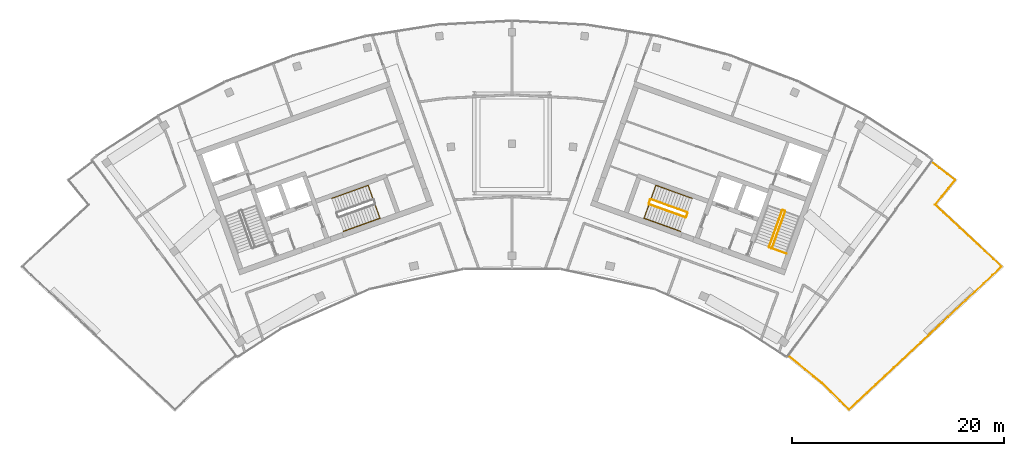
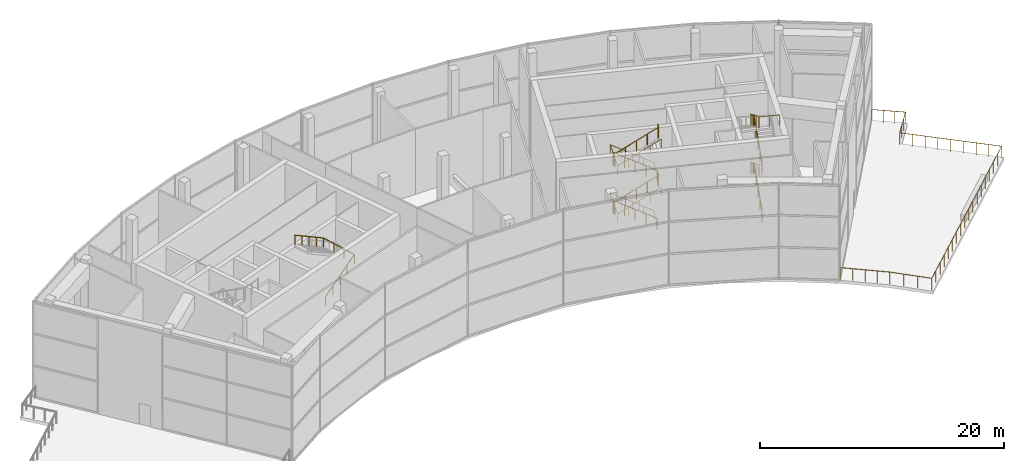
# One storey, part 19 of 20: 12 railings.
"""IFC4 building model written with IfcOpenShell, lengths in metres."""

from ifc_helpers import new_model, si_unit, direction, frame, origin, origin_2d, place, context, subcontext, project, spatial, circle, extrude, material, type_object, element, save


model = new_model("IFC4")

# Units and contexts
model_context = context("Model", 3, precision=1e-05, world=origin(), true_north=direction((0.0, 1.0)))
body_context = subcontext(model_context, "Body", "Model", "MODEL_VIEW")
ifc_project = project(units=[si_unit("LENGTHUNIT", "METRE"), si_unit("AREAUNIT", "SQUARE_METRE"), si_unit("VOLUMEUNIT", "CUBIC_METRE"), si_unit("PLANEANGLEUNIT", "RADIAN"), si_unit("MASSUNIT", "GRAM", prefix="KILO")], contexts=[model_context])

# Site, building, storey
site_placement = place(None, origin())
site = spatial("IfcSite", under=ifc_project, at=site_placement, CompositionType="ELEMENT")
building_placement = place(site_placement, origin())
building = spatial("IfcBuilding", under=site, at=building_placement, Name="Stone Belt Terrace Tower", CompositionType="ELEMENT")
storey_placement = place(building_placement, frame((0.0, 0.0, 323.0)))
storey = spatial("IfcBuildingStorey", under=building, at=storey_placement, Name="L78", CompositionType="ELEMENT", Elevation=323.0)

# Railings
ifc_material_1 = material(Name="Structural steel C345", Category="steel")
railing_type_1 = type_object("IfcRailingType", Name="Stair guard 1100", PredefinedType="GUARDRAIL", material=ifc_material_1)
railing_1_placement = place(storey_placement, frame((24.494140625, 45.174560546875, 0.17138671875)))
element("IfcRailing", 1, at=railing_1_placement, inside=storey, type_object=railing_type_1, Name="L78 ST1B stair guard 1", PredefinedType="GUARDRAIL", context=body_context, shape_type="SweptSolid", body=[
    extrude(circle(Radius=0.02392578125, at=origin_2d()), frame((0.0, 0.0, 1.076171875), z_axis=(0.288822101159, 0.802455225799, 0.522156494233), x_axis=(-0.940910495972, 0.338655338905, 0.0)), (0.0, 0.0, 1.0), 4.267822265625),
    extrude(circle(Radius=0.02392578125, at=origin_2d()), frame((1.232666015625, 3.4248046875, 3.3046875), z_axis=(-0.424964916, 0.905209821074, 0.0), x_axis=(-0.905209821074, -0.424964916, 0.0)), (0.0, 0.0, 1.0), 0.070556640625),
    extrude(circle(Radius=0.02392578125, at=origin_2d()), frame((1.20263671875, 3.48876953125, 3.3046875), z_axis=(-0.940716197853, 0.339194686126, 0.0), x_axis=(-0.339194686126, -0.940716197853, 0.0)), (0.0, 0.0, 1.0), 0.2001953125),
    extrude(circle(Radius=0.02099609375, at=origin_2d()), origin(), (0.0, 0.0, 1.0), 1.052001953125),
    extrude(circle(Radius=0.02099609375, at=origin_2d()), frame((0.30810546875, 0.856201171875, 0.55712890625)), (0.0, 0.0, 1.0), 1.052001953125),
    extrude(circle(Radius=0.02099609375, at=origin_2d()), frame((0.6162109375, 1.71240234375, 1.1142578125)), (0.0, 0.0, 1.0), 1.052001953125),
    extrude(circle(Radius=0.02099609375, at=origin_2d()), frame((0.924560546875, 2.568603515625, 1.67138671875)), (0.0, 0.0, 1.0), 1.052001953125),
    extrude(circle(Radius=0.02099609375, at=origin_2d()), frame((1.232666015625, 3.4248046875, 2.228515625)), (0.0, 0.0, 1.0), 1.052001953125),
    extrude(circle(Radius=0.02099609375, at=origin_2d()), frame((1.20263671875, 3.48876953125, 2.228515625)), (0.0, 0.0, 1.0), 1.052001953125),
    extrude(circle(Radius=0.02099609375, at=origin_2d()), frame((1.014404296875, 3.556640625, 2.228515625)), (0.0, 0.0, 1.0), 1.052001953125),
])
railing_2_placement = place(storey_placement, frame((25.444580078125, 48.700927734375, 2.571533203125)))
element("IfcRailing", 2, at=railing_2_placement, inside=storey, type_object=railing_type_1, Name="L78 ST1B stair guard 2", PredefinedType="GUARDRAIL", context=body_context, shape_type="SweptSolid", body=[
    extrude(circle(Radius=0.02392578125, at=origin_2d()), frame((0.0, 0.0, 1.076171875), z_axis=(-0.288822101159, -0.802455225799, 0.522156494233), x_axis=(0.940910495972, -0.338655338905, 0.0)), (0.0, 0.0, 1.0), 4.267822265625),
    extrude(circle(Radius=0.02392578125, at=origin_2d()), frame((-1.232666015625, -3.4248046875, 3.3046875), z_axis=(0.427789722475, -0.903878284585, 0.0), x_axis=(0.903878284585, 0.427789722475, 0.0)), (0.0, 0.0, 1.0), 0.07080078125),
    extrude(circle(Radius=0.02392578125, at=origin_2d()), frame((-1.202392578125, -3.48876953125, 3.3046875), z_axis=(0.940575576748, -0.339584429008, 0.0), x_axis=(0.339584429008, 0.940575576748, 0.0)), (0.0, 0.0, 1.0), 0.199951171875),
    extrude(circle(Radius=0.02099609375, at=origin_2d()), origin(), (0.0, 0.0, 1.0), 1.052001953125),
    extrude(circle(Radius=0.02099609375, at=origin_2d()), frame((-0.30810546875, -0.856201171875, 0.55712890625)), (0.0, 0.0, 1.0), 1.052001953125),
    extrude(circle(Radius=0.02099609375, at=origin_2d()), frame((-0.6162109375, -1.71240234375, 1.1142578125)), (0.0, 0.0, 1.0), 1.052001953125),
    extrude(circle(Radius=0.02099609375, at=origin_2d()), frame((-0.924560546875, -2.568603515625, 1.67138671875)), (0.0, 0.0, 1.0), 1.052001953125),
    extrude(circle(Radius=0.02099609375, at=origin_2d()), frame((-1.232666015625, -3.4248046875, 2.228515625)), (0.0, 0.0, 1.0), 1.052001953125),
    extrude(circle(Radius=0.02099609375, at=origin_2d()), frame((-1.202392578125, -3.48876953125, 2.228515625)), (0.0, 0.0, 1.0), 1.052001953125),
    extrude(circle(Radius=0.02099609375, at=origin_2d()), frame((-1.014404296875, -3.556640625, 2.228515625)), (0.0, 0.0, 1.0), 1.052001953125),
])
railing_3_placement = place(storey_placement, frame((24.494140625, 45.174560546875, 4.971435546875)))
element("IfcRailing", 3, at=railing_3_placement, inside=storey, type_object=railing_type_1, Name="L78 ST1B stair guard 3", PredefinedType="GUARDRAIL", context=body_context, shape_type="SweptSolid", body=[
    extrude(circle(Radius=0.02392578125, at=origin_2d()), frame((0.0, 0.0, 1.076171875), z_axis=(0.288822101159, 0.802455225799, 0.522156494233), x_axis=(-0.940910495972, 0.338655338905, 0.0)), (0.0, 0.0, 1.0), 4.267822265625),
    extrude(circle(Radius=0.02392578125, at=origin_2d()), frame((1.232666015625, 3.4248046875, 3.3046875), z_axis=(-0.424964916, 0.905209821074, 0.0), x_axis=(-0.905209821074, -0.424964916, 0.0)), (0.0, 0.0, 1.0), 0.070556640625),
    extrude(circle(Radius=0.02392578125, at=origin_2d()), frame((1.20263671875, 3.48876953125, 3.3046875), z_axis=(-0.940716197853, 0.339194686126, 0.0), x_axis=(-0.339194686126, -0.940716197853, 0.0)), (0.0, 0.0, 1.0), 0.2001953125),
    extrude(circle(Radius=0.02099609375, at=origin_2d()), origin(), (0.0, 0.0, 1.0), 1.052001953125),
    extrude(circle(Radius=0.02099609375, at=origin_2d()), frame((0.30810546875, 0.856201171875, 0.55712890625)), (0.0, 0.0, 1.0), 1.052001953125),
    extrude(circle(Radius=0.02099609375, at=origin_2d()), frame((0.6162109375, 1.71240234375, 1.1142578125)), (0.0, 0.0, 1.0), 1.052001953125),
    extrude(circle(Radius=0.02099609375, at=origin_2d()), frame((0.924560546875, 2.568603515625, 1.67138671875)), (0.0, 0.0, 1.0), 1.052001953125),
    extrude(circle(Radius=0.02099609375, at=origin_2d()), frame((1.232666015625, 3.4248046875, 2.228515625)), (0.0, 0.0, 1.0), 1.052001953125),
    extrude(circle(Radius=0.02099609375, at=origin_2d()), frame((1.20263671875, 3.48876953125, 2.228515625)), (0.0, 0.0, 1.0), 1.052001953125),
    extrude(circle(Radius=0.02099609375, at=origin_2d()), frame((1.014404296875, 3.556640625, 2.228515625)), (0.0, 0.0, 1.0), 1.052001953125),
])
railing_4_placement = place(storey_placement, frame((25.444580078125, 48.700927734375, 7.371337890625)))
element("IfcRailing", 4, at=railing_4_placement, inside=storey, type_object=railing_type_1, Name="L78 ST1B stair guard 4", PredefinedType="GUARDRAIL", context=body_context, shape_type="SweptSolid", body=[
    extrude(circle(Radius=0.02392578125, at=origin_2d()), frame((0.0, 0.0, 1.076171875), z_axis=(-0.288813474145, -0.802431256746, 0.522198099718), x_axis=(0.940910495972, -0.338655338905, 0.0)), (0.0, 0.0, 1.0), 4.26806640625),
    extrude(circle(Radius=0.02392578125, at=origin_2d()), frame((-1.232666015625, -3.4248046875, 3.3046875), z_axis=(0.427789722475, -0.903878284585, 0.0), x_axis=(0.903878284585, 0.427789722475, 0.0)), (0.0, 0.0, 1.0), 0.07080078125),
    extrude(circle(Radius=0.02392578125, at=origin_2d()), frame((-1.202392578125, -3.48876953125, 3.3046875), z_axis=(0.940903889267, -0.338673694229, 0.0), x_axis=(0.338673694229, 0.940903889267, 0.0)), (0.0, 0.0, 1.0), 1.69970703125),
    extrude(circle(Radius=0.02099609375, at=origin_2d()), origin(), (0.0, 0.0, 1.0), 1.052001953125),
    extrude(circle(Radius=0.02099609375, at=origin_2d()), frame((-0.30810546875, -0.856201171875, 0.55712890625)), (0.0, 0.0, 1.0), 1.052001953125),
    extrude(circle(Radius=0.02099609375, at=origin_2d()), frame((-0.6162109375, -1.71240234375, 1.1142578125)), (0.0, 0.0, 1.0), 1.052001953125),
    extrude(circle(Radius=0.02099609375, at=origin_2d()), frame((-0.924560546875, -2.568603515625, 1.671630859375)), (0.0, 0.0, 1.0), 1.052001953125),
    extrude(circle(Radius=0.02099609375, at=origin_2d()), frame((-1.232666015625, -3.4248046875, 2.228759765625)), (0.0, 0.0, 1.0), 1.052001953125),
    extrude(circle(Radius=0.02099609375, at=origin_2d()), frame((-1.202392578125, -3.48876953125, 2.228759765625)), (0.0, 0.0, 1.0), 1.052001953125),
    extrude(circle(Radius=0.02099609375, at=origin_2d()), frame((-0.40283203125, -3.776611328125, 2.228759765625)), (0.0, 0.0, 1.0), 1.052001953125),
    extrude(circle(Radius=0.02099609375, at=origin_2d()), frame((0.39697265625, -4.064453125, 2.228759765625)), (0.0, 0.0, 1.0), 1.052001953125),
])
railing_5_placement = place(storey_placement, frame((16.507568359375, 48.527099609375, 0.17138671875)))
element("IfcRailing", 5, at=railing_5_placement, inside=storey, type_object=railing_type_1, Name="L78 ST2B stair guard 1", PredefinedType="GUARDRAIL", context=body_context, shape_type="SweptSolid", body=[
    extrude(circle(Radius=0.02392578125, at=origin_2d()), frame((0.0, 0.0, 1.076171875), z_axis=(-0.802468482762, 0.288769667877, 0.52216512052), x_axis=(-0.338595955653, -0.940931867255, 0.0)), (0.0, 0.0, 1.0), 4.267822265625),
    extrude(circle(Radius=0.02392578125, at=origin_2d()), frame((-3.4248046875, 1.232421875, 3.3046875), z_axis=(-0.905209821074, -0.424964916, 0.0), x_axis=(0.424964916, -0.905209821074, 0.0)), (0.0, 0.0, 1.0), 0.070556640625),
    extrude(circle(Radius=0.02392578125, at=origin_2d()), frame((-3.48876953125, 1.202392578125, 3.3046875), z_axis=(-0.338654645739, -0.940910745459, 0.0), x_axis=(0.940910745459, -0.338654645739, 0.0)), (0.0, 0.0, 1.0), 0.400146484375),
    extrude(circle(Radius=0.02099609375, at=origin_2d()), origin(), (0.0, 0.0, 1.0), 1.052001953125),
    extrude(circle(Radius=0.02099609375, at=origin_2d()), frame((-0.856201171875, 0.30810546875, 0.55712890625)), (0.0, 0.0, 1.0), 1.052001953125),
    extrude(circle(Radius=0.02099609375, at=origin_2d()), frame((-1.71240234375, 0.6162109375, 1.1142578125)), (0.0, 0.0, 1.0), 1.052001953125),
    extrude(circle(Radius=0.02099609375, at=origin_2d()), frame((-2.568603515625, 0.92431640625, 1.67138671875)), (0.0, 0.0, 1.0), 1.052001953125),
    extrude(circle(Radius=0.02099609375, at=origin_2d()), frame((-3.4248046875, 1.232421875, 2.228515625)), (0.0, 0.0, 1.0), 1.052001953125),
    extrude(circle(Radius=0.02099609375, at=origin_2d()), frame((-3.48876953125, 1.202392578125, 2.228515625)), (0.0, 0.0, 1.0), 1.052001953125),
    extrude(circle(Radius=0.02099609375, at=origin_2d()), frame((-3.624267578125, 0.825927734375, 2.228515625)), (0.0, 0.0, 1.0), 1.052001953125),
])
railing_6_placement = place(storey_placement, frame((12.913330078125, 49.2890625, 2.571533203125)))
element("IfcRailing", 6, at=railing_6_placement, inside=storey, type_object=railing_type_1, Name="L78 ST2B stair guard 2", PredefinedType="GUARDRAIL", context=body_context, shape_type="SweptSolid", body=[
    extrude(circle(Radius=0.02392578125, at=origin_2d()), frame((0.0, 0.0, 1.076171875), z_axis=(0.802488848793, -0.288756412339, 0.522141151314), x_axis=(0.338574587021, 0.94093955652, 0.0)), (0.0, 0.0, 1.0), 4.26806640625),
    extrude(circle(Radius=0.02392578125, at=origin_2d()), frame((3.425048828125, -1.232421875, 3.3046875), z_axis=(0.905209821074, 0.424964916, 0.0), x_axis=(-0.424964916, 0.905209821074, 0.0)), (0.0, 0.0, 1.0), 0.070556640625),
    extrude(circle(Radius=0.02392578125, at=origin_2d()), frame((3.489013671875, -1.202392578125, 3.3046875), z_axis=(0.338654645739, 0.940910745459, 0.0), x_axis=(-0.940910745459, 0.338654645739, 0.0)), (0.0, 0.0, 1.0), 0.400146484375),
    extrude(circle(Radius=0.02099609375, at=origin_2d()), origin(), (0.0, 0.0, 1.0), 1.052001953125),
    extrude(circle(Radius=0.02099609375, at=origin_2d()), frame((0.856201171875, -0.30810546875, 0.55712890625)), (0.0, 0.0, 1.0), 1.052001953125),
    extrude(circle(Radius=0.02099609375, at=origin_2d()), frame((1.71240234375, -0.6162109375, 1.1142578125)), (0.0, 0.0, 1.0), 1.052001953125),
    extrude(circle(Radius=0.02099609375, at=origin_2d()), frame((2.56884765625, -0.92431640625, 1.67138671875)), (0.0, 0.0, 1.0), 1.052001953125),
    extrude(circle(Radius=0.02099609375, at=origin_2d()), frame((3.425048828125, -1.232421875, 2.228515625)), (0.0, 0.0, 1.0), 1.052001953125),
    extrude(circle(Radius=0.02099609375, at=origin_2d()), frame((3.489013671875, -1.202392578125, 2.228515625)), (0.0, 0.0, 1.0), 1.052001953125),
    extrude(circle(Radius=0.02099609375, at=origin_2d()), frame((3.62451171875, -0.825927734375, 2.228515625)), (0.0, 0.0, 1.0), 1.052001953125),
])
railing_7_placement = place(storey_placement, frame((16.507568359375, 48.527099609375, 4.971435546875)))
element("IfcRailing", 7, at=railing_7_placement, inside=storey, type_object=railing_type_1, Name="L78 ST2B stair guard 3", PredefinedType="GUARDRAIL", context=body_context, shape_type="SweptSolid", body=[
    extrude(circle(Radius=0.02392578125, at=origin_2d()), frame((0.0, 0.0, 1.076171875), z_axis=(-0.802468482762, 0.288769667877, 0.52216512052), x_axis=(-0.338595955653, -0.940931867255, 0.0)), (0.0, 0.0, 1.0), 4.267822265625),
    extrude(circle(Radius=0.02392578125, at=origin_2d()), frame((-3.4248046875, 1.232421875, 3.3046875), z_axis=(-0.905209821074, -0.424964916, 0.0), x_axis=(0.424964916, -0.905209821074, 0.0)), (0.0, 0.0, 1.0), 0.070556640625),
    extrude(circle(Radius=0.02392578125, at=origin_2d()), frame((-3.48876953125, 1.202392578125, 3.3046875), z_axis=(-0.338654645739, -0.940910745459, 0.0), x_axis=(0.940910745459, -0.338654645739, 0.0)), (0.0, 0.0, 1.0), 0.400146484375),
    extrude(circle(Radius=0.02099609375, at=origin_2d()), origin(), (0.0, 0.0, 1.0), 1.052001953125),
    extrude(circle(Radius=0.02099609375, at=origin_2d()), frame((-0.856201171875, 0.30810546875, 0.55712890625)), (0.0, 0.0, 1.0), 1.052001953125),
    extrude(circle(Radius=0.02099609375, at=origin_2d()), frame((-1.71240234375, 0.6162109375, 1.1142578125)), (0.0, 0.0, 1.0), 1.052001953125),
    extrude(circle(Radius=0.02099609375, at=origin_2d()), frame((-2.568603515625, 0.92431640625, 1.67138671875)), (0.0, 0.0, 1.0), 1.052001953125),
    extrude(circle(Radius=0.02099609375, at=origin_2d()), frame((-3.4248046875, 1.232421875, 2.228515625)), (0.0, 0.0, 1.0), 1.052001953125),
    extrude(circle(Radius=0.02099609375, at=origin_2d()), frame((-3.48876953125, 1.202392578125, 2.228515625)), (0.0, 0.0, 1.0), 1.052001953125),
    extrude(circle(Radius=0.02099609375, at=origin_2d()), frame((-3.624267578125, 0.825927734375, 2.228515625)), (0.0, 0.0, 1.0), 1.052001953125),
])
railing_8_placement = place(storey_placement, frame((12.913330078125, 49.2890625, 7.371337890625)))
element("IfcRailing", 8, at=railing_8_placement, inside=storey, type_object=railing_type_1, Name="L78 ST2B stair guard 4", PredefinedType="GUARDRAIL", context=body_context, shape_type="SweptSolid", body=[
    extrude(circle(Radius=0.02392578125, at=origin_2d()), frame((0.0, 0.0, 1.076171875), z_axis=(0.802464880144, -0.288747787795, 0.522182756493), x_axis=(0.338574587021, 0.94093955652, 0.0)), (0.0, 0.0, 1.0), 4.26806640625),
    extrude(circle(Radius=0.02392578125, at=origin_2d()), frame((3.425048828125, -1.232421875, 3.3046875), z_axis=(0.905209821074, 0.424964916, 0.0), x_axis=(-0.424964916, 0.905209821074, 0.0)), (0.0, 0.0, 1.0), 0.070556640625),
    extrude(circle(Radius=0.02392578125, at=origin_2d()), frame((3.489013671875, -1.202392578125, 3.3046875), z_axis=(0.338654645739, 0.940910745459, 0.0), x_axis=(-0.940910745459, 0.338654645739, 0.0)), (0.0, 0.0, 1.0), 0.400146484375),
    extrude(circle(Radius=0.02099609375, at=origin_2d()), origin(), (0.0, 0.0, 1.0), 1.052001953125),
    extrude(circle(Radius=0.02099609375, at=origin_2d()), frame((0.856201171875, -0.30810546875, 0.55712890625)), (0.0, 0.0, 1.0), 1.052001953125),
    extrude(circle(Radius=0.02099609375, at=origin_2d()), frame((1.71240234375, -0.6162109375, 1.1142578125)), (0.0, 0.0, 1.0), 1.052001953125),
    extrude(circle(Radius=0.02099609375, at=origin_2d()), frame((2.56884765625, -0.92431640625, 1.671630859375)), (0.0, 0.0, 1.0), 1.052001953125),
    extrude(circle(Radius=0.02099609375, at=origin_2d()), frame((3.425048828125, -1.232421875, 2.228759765625)), (0.0, 0.0, 1.0), 1.052001953125),
    extrude(circle(Radius=0.02099609375, at=origin_2d()), frame((3.489013671875, -1.202392578125, 2.228759765625)), (0.0, 0.0, 1.0), 1.052001953125),
    extrude(circle(Radius=0.02099609375, at=origin_2d()), frame((3.62451171875, -0.825927734375, 2.228759765625)), (0.0, 0.0, 1.0), 1.052001953125),
])
railing_type_2 = type_object("IfcRailingType", Name="Stair handrail 900", PredefinedType="HANDRAIL", material=ifc_material_1)
railing_9_placement = place(storey_placement, frame((-15.8642578125, 46.7392578125, 4.971435546875)))
element("IfcRailing", 9, at=railing_9_placement, inside=storey, type_object=railing_type_2, Name="L78 ST2A stair handrail 2", PredefinedType="HANDRAIL", context=body_context, shape_type="SweptSolid", body=[
    extrude(circle(Radius=0.02392578125, at=origin_2d()), frame((0.0, 0.0, 0.8759765625), z_axis=(0.802475592711, 0.288808843652, 0.522132526215), x_axis=(-0.338633967496, 0.94091818776, 0.0)), (0.0, 0.0, 1.0), 4.26806640625),
    extrude(circle(Radius=0.02392578125, at=origin_2d()), frame((3.425048828125, 1.232666015625, 3.1044921875), z_axis=(-0.338232188705, 0.939632366961, 0.051865224218), x_axis=(-0.940898728651, -0.338688031118, 0.0)), (0.0, 0.0, 1.0), 3.304443359375),
    extrude(circle(Radius=0.02392578125, at=origin_2d()), frame((2.307373046875, 4.337646484375, 3.27587890625), z_axis=(-0.802431256746, -0.288813474145, 0.522198099718), x_axis=(0.338655338905, -0.940910495972, 0.0)), (0.0, 0.0, 1.0), 4.26806640625),
    extrude(circle(Radius=0.02099609375, at=origin_2d()), origin(), (0.0, 0.0, 1.0), 0.851806640625),
    extrude(circle(Radius=0.02099609375, at=origin_2d()), frame((0.856201171875, 0.30810546875, 0.55712890625)), (0.0, 0.0, 1.0), 0.851806640625),
    extrude(circle(Radius=0.02099609375, at=origin_2d()), frame((1.71240234375, 0.6162109375, 1.1142578125)), (0.0, 0.0, 1.0), 0.851806640625),
    extrude(circle(Radius=0.02099609375, at=origin_2d()), frame((2.56884765625, 0.924560546875, 1.67138671875)), (0.0, 0.0, 1.0), 0.851806640625),
    extrude(circle(Radius=0.02099609375, at=origin_2d()), frame((3.425048828125, 1.232666015625, 2.228515625)), (0.0, 0.0, 1.0), 0.851806640625),
    extrude(circle(Radius=0.02099609375, at=origin_2d()), frame((3.052490234375, 2.267578125, 2.28564453125)), (0.0, 0.0, 1.0), 0.851806640625),
    extrude(circle(Radius=0.02099609375, at=origin_2d()), frame((2.679931640625, 3.302734375, 2.3427734375)), (0.0, 0.0, 1.0), 0.851806640625),
    extrude(circle(Radius=0.02099609375, at=origin_2d()), frame((2.307373046875, 4.337646484375, 2.39990234375)), (0.0, 0.0, 1.0), 0.851806640625),
    extrude(circle(Radius=0.02099609375, at=origin_2d()), frame((1.451171875, 4.029541015625, 2.95703125)), (0.0, 0.0, 1.0), 0.851806640625),
    extrude(circle(Radius=0.02099609375, at=origin_2d()), frame((0.594970703125, 3.72119140625, 3.51416015625)), (0.0, 0.0, 1.0), 0.851806640625),
    extrude(circle(Radius=0.02099609375, at=origin_2d()), frame((-0.26123046875, 3.4130859375, 4.071533203125)), (0.0, 0.0, 1.0), 0.851806640625),
    extrude(circle(Radius=0.02099609375, at=origin_2d()), frame((-1.117431640625, 3.10498046875, 4.628662109375)), (0.0, 0.0, 1.0), 0.851806640625),
])
railing_10_placement = place(storey_placement, frame((16.981689453125, 49.84423828125, 0.17138671875)))
element("IfcRailing", 10, at=railing_10_placement, inside=storey, type_object=railing_type_2, Name="L78 ST2B stair handrail 1", PredefinedType="HANDRAIL", context=body_context, shape_type="SweptSolid", body=[
    extrude(circle(Radius=0.02392578125, at=origin_2d()), frame((0.0, 0.0, 0.8759765625), z_axis=(-0.802455225799, 0.288822101159, 0.522156494233), x_axis=(-0.338655338905, -0.940910495972, 0.0)), (0.0, 0.0, 1.0), 4.267822265625),
    extrude(circle(Radius=0.02392578125, at=origin_2d()), frame((-3.4248046875, 1.232666015625, 3.1044921875), z_axis=(-0.338230891713, -0.93962876383, 0.051938907137), x_axis=(0.940898728651, -0.338688031118, 0.0)), (0.0, 0.0, 1.0), 3.304443359375),
    extrude(circle(Radius=0.02392578125, at=origin_2d()), frame((-4.54248046875, -1.872314453125, 3.27587890625), z_axis=(0.802475592711, -0.288808843652, 0.522132526215), x_axis=(0.338633967496, 0.94091818776, 0.0)), (0.0, 0.0, 1.0), 4.26806640625),
    extrude(circle(Radius=0.02099609375, at=origin_2d()), origin(), (0.0, 0.0, 1.0), 0.851806640625),
    extrude(circle(Radius=0.02099609375, at=origin_2d()), frame((-0.856201171875, 0.30810546875, 0.55712890625)), (0.0, 0.0, 1.0), 0.851806640625),
    extrude(circle(Radius=0.02099609375, at=origin_2d()), frame((-1.71240234375, 0.6162109375, 1.1142578125)), (0.0, 0.0, 1.0), 0.851806640625),
    extrude(circle(Radius=0.02099609375, at=origin_2d()), frame((-2.568603515625, 0.924560546875, 1.67138671875)), (0.0, 0.0, 1.0), 0.851806640625),
    extrude(circle(Radius=0.02099609375, at=origin_2d()), frame((-3.4248046875, 1.232666015625, 2.228515625)), (0.0, 0.0, 1.0), 0.851806640625),
    extrude(circle(Radius=0.02099609375, at=origin_2d()), frame((-3.79736328125, 0.19775390625, 2.28564453125)), (0.0, 0.0, 1.0), 0.851806640625),
    extrude(circle(Radius=0.02099609375, at=origin_2d()), frame((-4.169921875, -0.83740234375, 2.343017578125)), (0.0, 0.0, 1.0), 0.851806640625),
    extrude(circle(Radius=0.02099609375, at=origin_2d()), frame((-4.54248046875, -1.872314453125, 2.400146484375)), (0.0, 0.0, 1.0), 0.851806640625),
    extrude(circle(Radius=0.02099609375, at=origin_2d()), frame((-3.686279296875, -2.180419921875, 2.957275390625)), (0.0, 0.0, 1.0), 0.851806640625),
    extrude(circle(Radius=0.02099609375, at=origin_2d()), frame((-2.830078125, -2.48876953125, 3.514404296875)), (0.0, 0.0, 1.0), 0.851806640625),
    extrude(circle(Radius=0.02099609375, at=origin_2d()), frame((-1.9736328125, -2.796875, 4.071533203125)), (0.0, 0.0, 1.0), 0.851806640625),
    extrude(circle(Radius=0.02099609375, at=origin_2d()), frame((-1.117431640625, -3.10498046875, 4.628662109375)), (0.0, 0.0, 1.0), 0.851806640625),
])
railing_11_placement = place(storey_placement, frame((16.981689453125, 49.84423828125, 4.971435546875)))
element("IfcRailing", 11, at=railing_11_placement, inside=storey, type_object=railing_type_2, Name="L78 ST2B stair handrail 2", PredefinedType="HANDRAIL", context=body_context, shape_type="SweptSolid", body=[
    extrude(circle(Radius=0.02392578125, at=origin_2d()), frame((0.0, 0.0, 0.8759765625), z_axis=(-0.802455225799, 0.288822101159, 0.522156494233), x_axis=(-0.338655338905, -0.940910495972, 0.0)), (0.0, 0.0, 1.0), 4.267822265625),
    extrude(circle(Radius=0.02392578125, at=origin_2d()), frame((-3.4248046875, 1.232666015625, 3.1044921875), z_axis=(-0.338232188705, -0.939632366961, 0.051865224218), x_axis=(0.940898728651, -0.338688031118, 0.0)), (0.0, 0.0, 1.0), 3.304443359375),
    extrude(circle(Radius=0.02392578125, at=origin_2d()), frame((-4.54248046875, -1.872314453125, 3.27587890625), z_axis=(0.80245162525, -0.288800217826, 0.522174131222), x_axis=(0.338633967496, 0.94091818776, 0.0)), (0.0, 0.0, 1.0), 4.268310546875),
    extrude(circle(Radius=0.02099609375, at=origin_2d()), origin(), (0.0, 0.0, 1.0), 0.851806640625),
    extrude(circle(Radius=0.02099609375, at=origin_2d()), frame((-0.856201171875, 0.30810546875, 0.55712890625)), (0.0, 0.0, 1.0), 0.851806640625),
    extrude(circle(Radius=0.02099609375, at=origin_2d()), frame((-1.71240234375, 0.6162109375, 1.1142578125)), (0.0, 0.0, 1.0), 0.851806640625),
    extrude(circle(Radius=0.02099609375, at=origin_2d()), frame((-2.568603515625, 0.924560546875, 1.67138671875)), (0.0, 0.0, 1.0), 0.851806640625),
    extrude(circle(Radius=0.02099609375, at=origin_2d()), frame((-3.4248046875, 1.232666015625, 2.228515625)), (0.0, 0.0, 1.0), 0.851806640625),
    extrude(circle(Radius=0.02099609375, at=origin_2d()), frame((-3.79736328125, 0.19775390625, 2.28564453125)), (0.0, 0.0, 1.0), 0.851806640625),
    extrude(circle(Radius=0.02099609375, at=origin_2d()), frame((-4.169921875, -0.83740234375, 2.3427734375)), (0.0, 0.0, 1.0), 0.851806640625),
    extrude(circle(Radius=0.02099609375, at=origin_2d()), frame((-4.54248046875, -1.872314453125, 2.39990234375)), (0.0, 0.0, 1.0), 0.851806640625),
    extrude(circle(Radius=0.02099609375, at=origin_2d()), frame((-3.686279296875, -2.180419921875, 2.95703125)), (0.0, 0.0, 1.0), 0.851806640625),
    extrude(circle(Radius=0.02099609375, at=origin_2d()), frame((-2.830078125, -2.48876953125, 3.51416015625)), (0.0, 0.0, 1.0), 0.851806640625),
    extrude(circle(Radius=0.02099609375, at=origin_2d()), frame((-1.9736328125, -2.796875, 4.071533203125)), (0.0, 0.0, 1.0), 0.851806640625),
    extrude(circle(Radius=0.02099609375, at=origin_2d()), frame((-1.117431640625, -3.10498046875, 4.628662109375)), (0.0, 0.0, 1.0), 0.851806640625),
])
ifc_material_2 = material(Name="Stainless steel AISI 304", Category="steel")
railing_type_3 = type_object("IfcRailingType", Name="Terrace guard 1200", PredefinedType="GUARDRAIL", material=ifc_material_2)
railing_12_placement = place(storey_placement, frame((26.046875, 34.998046875, 0.0)))
element("IfcRailing", 12, at=railing_12_placement, inside=storey, type_object=railing_type_3, Name="GUARD L78 2.1", PredefinedType="GUARDRAIL", context=body_context, shape_type="SweptSolid", body=[
    extrude(circle(Radius=0.02490234375, at=origin_2d()), frame((0.0, 0.0, 1.1748046875), z_axis=(0.777141396186, -0.629326028648, 0.0), x_axis=(0.629326028648, 0.777141396186, 0.0)), (0.0, 0.0, 1.0), 4.06640625),
    extrude(circle(Radius=0.02490234375, at=origin_2d()), frame((3.16015625, -2.55908203125, 1.1748046875), z_axis=(0.713987608971, -0.700158335118, 0.0), x_axis=(0.700158335118, 0.713987608971, 0.0)), (0.0, 0.0, 1.0), 3.566162109375),
    extrude(circle(Radius=0.02490234375, at=origin_2d()), frame((5.706298828125, -5.055908203125, 1.1748046875), z_axis=(0.729900463905, 0.683553445453, 0.0), x_axis=(-0.683553445453, 0.729900463905, 0.0)), (0.0, 0.0, 1.0), 19.69580078125),
    extrude(circle(Radius=0.02490234375, at=origin_2d()), frame((20.082275390625, 8.4072265625, 1.1748046875), z_axis=(-0.73134140129, 0.682011550312, 0.0), x_axis=(-0.682011550312, -0.73134140129, 0.0)), (0.0, 0.0, 1.0), 8.56689453125),
    extrude(circle(Radius=0.02490234375, at=origin_2d()), frame((13.81689453125, 14.25, 1.1748046875), z_axis=(0.631035766134, 0.775753737896, 0.0), x_axis=(-0.775753737896, 0.631035766134, 0.0)), (0.0, 0.0, 1.0), 2.986083984375),
    extrude(circle(Radius=0.02490234375, at=origin_2d()), frame((15.701171875, 16.56640625, 1.1748046875), z_axis=(-0.792689200903, 0.609625976129, 0.0), x_axis=(-0.609625976129, -0.792689200903, 0.0)), (0.0, 0.0, 1.0), 2.783203125),
    extrude(circle(Radius=0.02001953125, at=origin_2d()), origin(), (0.0, 0.0, 1.0), 1.14990234375),
    extrude(circle(Radius=0.02001953125, at=origin_2d()), frame((0.7900390625, -0.6396484375, 0.0)), (0.0, 0.0, 1.0), 1.14990234375),
    extrude(circle(Radius=0.02001953125, at=origin_2d()), frame((1.580078125, -1.279541015625, 0.0)), (0.0, 0.0, 1.0), 1.14990234375),
    extrude(circle(Radius=0.02001953125, at=origin_2d()), frame((2.3701171875, -1.91943359375, 0.0)), (0.0, 0.0, 1.0), 1.14990234375),
    extrude(circle(Radius=0.02001953125, at=origin_2d()), frame((3.16015625, -2.55908203125, 0.0)), (0.0, 0.0, 1.0), 1.14990234375),
    extrude(circle(Radius=0.02001953125, at=origin_2d()), frame((4.0087890625, -3.391357421875, 0.0)), (0.0, 0.0, 1.0), 1.14990234375),
    extrude(circle(Radius=0.02001953125, at=origin_2d()), frame((4.857666015625, -4.2236328125, 0.0)), (0.0, 0.0, 1.0), 1.14990234375),
    extrude(circle(Radius=0.02001953125, at=origin_2d()), frame((5.706298828125, -5.055908203125, 0.0)), (0.0, 0.0, 1.0), 1.14990234375),
    extrude(circle(Radius=0.02001953125, at=origin_2d()), frame((6.552001953125, -4.263916015625, 0.0)), (0.0, 0.0, 1.0), 1.14990234375),
    extrude(circle(Radius=0.02001953125, at=origin_2d()), frame((7.397705078125, -3.471923828125, 0.0)), (0.0, 0.0, 1.0), 1.14990234375),
    extrude(circle(Radius=0.02001953125, at=origin_2d()), frame((8.2431640625, -2.68017578125, 0.0)), (0.0, 0.0, 1.0), 1.14990234375),
    extrude(circle(Radius=0.02001953125, at=origin_2d()), frame((9.0888671875, -1.88818359375, 0.0)), (0.0, 0.0, 1.0), 1.14990234375),
    extrude(circle(Radius=0.02001953125, at=origin_2d()), frame((9.9345703125, -1.09619140625, 0.0)), (0.0, 0.0, 1.0), 1.14990234375),
    extrude(circle(Radius=0.02001953125, at=origin_2d()), frame((10.7802734375, -0.30419921875, 0.0)), (0.0, 0.0, 1.0), 1.14990234375),
    extrude(circle(Radius=0.02001953125, at=origin_2d()), frame((11.625732421875, 0.48779296875, 0.0)), (0.0, 0.0, 1.0), 1.14990234375),
    extrude(circle(Radius=0.02001953125, at=origin_2d()), frame((12.471435546875, 1.27978515625, 0.0)), (0.0, 0.0, 1.0), 1.14990234375),
    extrude(circle(Radius=0.02001953125, at=origin_2d()), frame((13.317138671875, 2.071533203125, 0.0)), (0.0, 0.0, 1.0), 1.14990234375),
    extrude(circle(Radius=0.02001953125, at=origin_2d()), frame((14.162841796875, 2.863525390625, 0.0)), (0.0, 0.0, 1.0), 1.14990234375),
    extrude(circle(Radius=0.02001953125, at=origin_2d()), frame((15.00830078125, 3.655517578125, 0.0)), (0.0, 0.0, 1.0), 1.14990234375),
    extrude(circle(Radius=0.02001953125, at=origin_2d()), frame((15.85400390625, 4.447509765625, 0.0)), (0.0, 0.0, 1.0), 1.14990234375),
    extrude(circle(Radius=0.02001953125, at=origin_2d()), frame((16.69970703125, 5.239501953125, 0.0)), (0.0, 0.0, 1.0), 1.14990234375),
    extrude(circle(Radius=0.02001953125, at=origin_2d()), frame((17.54541015625, 6.031494140625, 0.0)), (0.0, 0.0, 1.0), 1.14990234375),
    extrude(circle(Radius=0.02001953125, at=origin_2d()), frame((18.390869140625, 6.8232421875, 0.0)), (0.0, 0.0, 1.0), 1.14990234375),
    extrude(circle(Radius=0.02001953125, at=origin_2d()), frame((19.236572265625, 7.615234375, 0.0)), (0.0, 0.0, 1.0), 1.14990234375),
    extrude(circle(Radius=0.02001953125, at=origin_2d()), frame((20.082275390625, 8.4072265625, 0.0)), (0.0, 0.0, 1.0), 1.14990234375),
    extrude(circle(Radius=0.02001953125, at=origin_2d()), frame((19.299072265625, 9.1376953125, 0.0)), (0.0, 0.0, 1.0), 1.14990234375),
    extrude(circle(Radius=0.02001953125, at=origin_2d()), frame((18.515869140625, 9.867919921875, 0.0)), (0.0, 0.0, 1.0), 1.14990234375),
    extrude(circle(Radius=0.02001953125, at=origin_2d()), frame((17.732666015625, 10.59814453125, 0.0)), (0.0, 0.0, 1.0), 1.14990234375),
    extrude(circle(Radius=0.02001953125, at=origin_2d()), frame((16.94970703125, 11.32861328125, 0.0)), (0.0, 0.0, 1.0), 1.14990234375),
    extrude(circle(Radius=0.02001953125, at=origin_2d()), frame((16.16650390625, 12.05908203125, 0.0)), (0.0, 0.0, 1.0), 1.14990234375),
    extrude(circle(Radius=0.02001953125, at=origin_2d()), frame((15.38330078125, 12.789306640625, 0.0)), (0.0, 0.0, 1.0), 1.14990234375),
    extrude(circle(Radius=0.02001953125, at=origin_2d()), frame((14.60009765625, 13.51953125, 0.0)), (0.0, 0.0, 1.0), 1.14990234375),
    extrude(circle(Radius=0.02001953125, at=origin_2d()), frame((13.81689453125, 14.25, 0.0)), (0.0, 0.0, 1.0), 1.14990234375),
    extrude(circle(Radius=0.02001953125, at=origin_2d()), frame((14.445068359375, 15.022216796875, 0.0)), (0.0, 0.0, 1.0), 1.14990234375),
    extrude(circle(Radius=0.02001953125, at=origin_2d()), frame((15.072998046875, 15.794189453125, 0.0)), (0.0, 0.0, 1.0), 1.14990234375),
    extrude(circle(Radius=0.02001953125, at=origin_2d()), frame((15.701171875, 16.56640625, 0.0)), (0.0, 0.0, 1.0), 1.14990234375),
    extrude(circle(Radius=0.02001953125, at=origin_2d()), frame((14.9658203125, 17.132080078125, 0.0)), (0.0, 0.0, 1.0), 1.14990234375),
    extrude(circle(Radius=0.02001953125, at=origin_2d()), frame((14.230224609375, 17.697509765625, 0.0)), (0.0, 0.0, 1.0), 1.14990234375),
    extrude(circle(Radius=0.02001953125, at=origin_2d()), frame((13.494873046875, 18.26318359375, 0.0)), (0.0, 0.0, 1.0), 1.14990234375),
])

save(model, "model.ifc")
